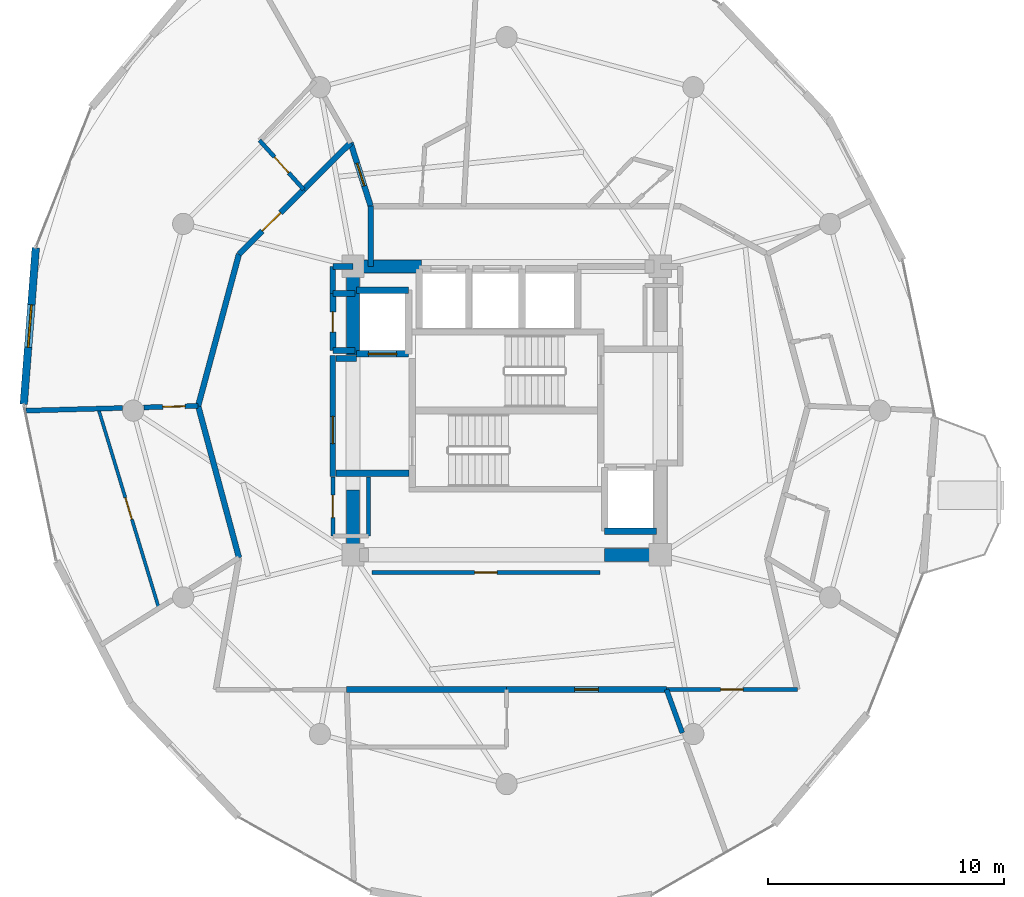
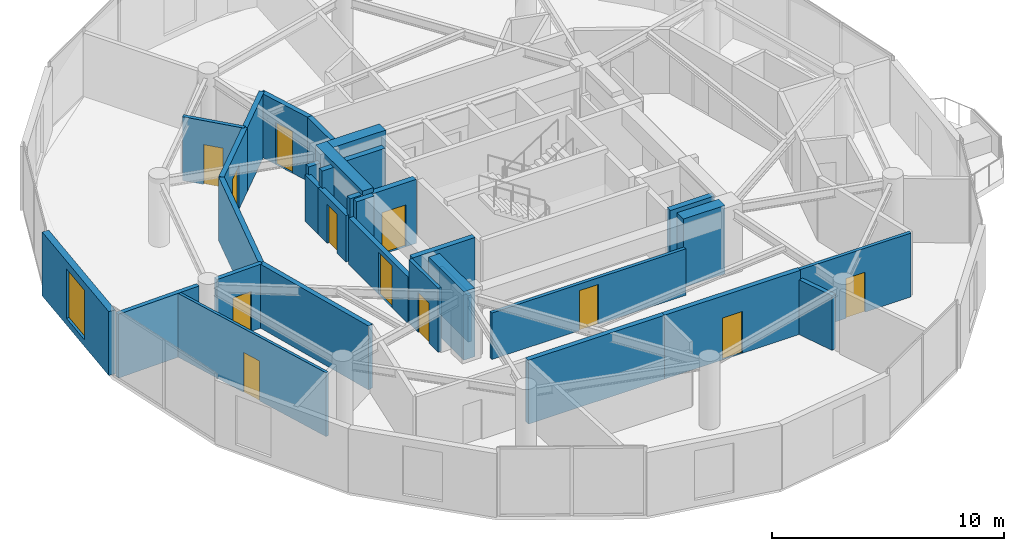
# One storey, part 17 of 21: 33 walls, 12 doors, 1 window, 13 openings.
"""IFC4 building model written with IfcOpenShell, lengths in metres."""

from ifc_helpers import new_model, si_unit, direction, frame, frame_2d, origin, place, context, subcontext, project, spatial, rectangle, extrude, material, layer, layer_set, type_object, element, fill, save


model = new_model("IFC4")

# Units and contexts
model_context = context("Model", 3, precision=1e-05, world=origin(), true_north=direction((0.0, 1.0)))
body_context = subcontext(model_context, "Body", "Model", "MODEL_VIEW")
ifc_project = project(units=[si_unit("LENGTHUNIT", "METRE"), si_unit("AREAUNIT", "SQUARE_METRE"), si_unit("VOLUMEUNIT", "CUBIC_METRE"), si_unit("PLANEANGLEUNIT", "RADIAN"), si_unit("MASSUNIT", "GRAM", prefix="KILO")], contexts=[model_context])

# Site, building, storey
site_placement = place(None, origin())
site = spatial("IfcSite", under=ifc_project, at=site_placement, CompositionType="ELEMENT")
building_placement = place(site_placement, origin())
building = spatial("IfcBuilding", under=site, at=building_placement, Name="Solvirekh Grand Hotel", CompositionType="ELEMENT")
storey_placement = place(building_placement, frame((0.0, 0.0, 220.0)))
storey = spatial("IfcBuildingStorey", under=building, at=storey_placement, Name="L57", CompositionType="ELEMENT", Elevation=220.0)

# Wall, opening, door
ifc_material_1 = material(Name="Concrete C40/50", Category="concrete")
ifc_layer_1 = layer(ifc_material_1, 0.280029296875)
ifc_layer_set_1 = layer_set([ifc_layer_1], Name="Concrete C40/50")
wall_type_1 = type_object("IfcWallType", Name="CoreShaftWall_RC280", PredefinedType="SOLIDWALL", material=ifc_layer_set_1)
wall_1_placement = place(storey_placement, frame((-6.35009765625, 2.39990234375, 0.0), z_axis=(0.0, 0.0, 1.0), x_axis=(1.0, 0.0, 0.0)))
wall_1 = element("IfcWall", 1, at=wall_1_placement, inside=storey, type_object=wall_type_1, Name="L57 FL-1 hoistway S wall", PredefinedType="SOLIDWALL", context=body_context, shape_type="SweptSolid", body=[
    extrude(rectangle(XDim=2.2001953125, YDim=0.280029296875, at=frame_2d((1.10009765625, 0.0))), origin(), (0.0, 0.0, 1.0), 3.360107421875),
])
opening_1_placement = place(wall_1_placement, frame((0.5, 0.0, 0.0)))
opening_1 = element("IfcOpeningElement", 2, at=opening_1_placement, cuts=wall_1, Name="Opening LD02", PredefinedType="OPENING", context=body_context, shape_type="SweptSolid", body=[
    extrude(rectangle(XDim=1.199951171875, YDim=2.199951171875, at=frame_2d((0.60009765625, 1.10009765625))), frame((0.0, 0.14990234375, 0.0), z_axis=(0.0, -1.0, 0.0), x_axis=(1.0, 0.0, 0.0)), (0.0, 0.0, 1.0), 0.300048828125),
])
ifc_material_2 = material(Name="Fire-Rated Steel Door Assembly", Category="steel")
door_type_1 = type_object("IfcDoorType", Name="Door_LiftFF_1200X2200", OperationType="SLIDING_TO_LEFT", PredefinedType="DOOR", material=ifc_material_2)
door_1_placement = place(opening_1_placement, origin())
door_1 = element("IfcDoor", 3, at=door_1_placement, inside=storey, type_object=door_type_1, Name="L57 FL-1 sliding lift landing door", OperationType="SLIDING_TO_LEFT", OverallHeight=2.199951171875, OverallWidth=1.199951171875, PredefinedType="DOOR", context=body_context, shape_type="SweptSolid", body=[
    extrude(rectangle(XDim=1.199951171875, YDim=2.199951171875, at=frame_2d((0.60009765625, 1.10009765625))), frame((0.0, 0.02490234375, 0.0), z_axis=(0.0, -1.0, 0.0), x_axis=(1.0, 0.0, 0.0)), (0.0, 0.0, 1.0), 0.050048828125),
])
fill(opening_1, door_1)

# Walls
for number, where, z_axis, x_axis, name in (
    (4, (-4.14990234375, 5.10009765625, 0.0), (0.0, 0.0, 1.0), (-1.0, 0.0, 0.0), "L57 FL-1 hoistway N wall"),
    (5, (4.14990234375, -5.10009765625, 0.0), (0.0, 0.0, 1.0), (1.0, 0.0, 0.0), "L57 FL-2 hoistway S wall"),
):
    element("IfcWall", number, at=place(storey_placement, frame(where, z_axis=z_axis, x_axis=x_axis)), inside=storey, type_object=wall_type_1, Name=name, PredefinedType="SOLIDWALL", context=body_context, shape_type="SweptSolid", body=[
        extrude(rectangle(XDim=2.2001953125, YDim=0.280029296875, at=frame_2d((1.10009765625, 0.0))), origin(), (0.0, 0.0, 1.0), 3.360107421875),
    ])
ifc_material_3 = material(Name="Concrete C50/60", Category="concrete")
ifc_layer_2 = layer(ifc_material_3, 0.550048828125)
ifc_layer_set_2 = layer_set([ifc_layer_2], Name="Concrete C50/60")
wall_type_2 = type_object("IfcWallType", Name="CoreWall_RC550", PredefinedType="SHEAR", material=ifc_layer_set_2)
wall_2_placement = place(storey_placement, frame((4.14990234375, -6.10009765625, 0.0), z_axis=(0.0, 0.0, 1.0), x_axis=(1.0, 0.0, 0.0)))
element("IfcWall", 6, at=wall_2_placement, inside=storey, type_object=wall_type_2, Name="L57 core corner shear wall SE-S", PredefinedType="SHEAR", context=body_context, shape_type="SweptSolid", body=[
    extrude(rectangle(XDim=2.0751953125, YDim=0.550048828125, at=frame_2d((1.03759765625, 0.0))), origin(), (0.0, 0.0, 1.0), 3.60009765625),
])
wall_3_placement = place(storey_placement, frame((-6.22509765625, 6.10009765625, 0.0), z_axis=(0.0, 0.0, 1.0), x_axis=(1.0, 0.0, 0.0)))
element("IfcWall", 7, at=wall_3_placement, inside=storey, type_object=wall_type_2, Name="L57 core corner shear wall NW-N", PredefinedType="SHEAR", context=body_context, shape_type="SweptSolid", body=[
    extrude(rectangle(XDim=2.625, YDim=0.550048828125, at=frame_2d((1.3125, 0.0))), origin(), (0.0, 0.0, 1.0), 3.60009765625),
])
wall_4_placement = place(storey_placement, frame((-6.5, 2.35009765625, 0.0), z_axis=(0.0, 0.0, 1.0), x_axis=(0.0, 1.0, 0.0)))
element("IfcWall", 8, at=wall_4_placement, inside=storey, type_object=wall_type_2, Name="L57 core corner shear wall WN-W", PredefinedType="SHEAR", context=body_context, shape_type="SweptSolid", body=[
    extrude(rectangle(XDim=4.02490234375, YDim=0.550048828125, at=frame_2d((2.012451171875, 0.0))), origin(), (0.0, 0.0, 1.0), 3.60009765625),
])
wall_5_placement = place(storey_placement, frame((-6.5, -6.375, 0.0), z_axis=(0.0, 0.0, 1.0), x_axis=(0.0, 1.0, 0.0)))
element("IfcWall", 9, at=wall_5_placement, inside=storey, type_object=wall_type_2, Name="L57 core corner shear wall WS-W", PredefinedType="SHEAR", context=body_context, shape_type="SweptSolid", body=[
    extrude(rectangle(XDim=3.02490234375, YDim=0.550048828125, at=frame_2d((1.512451171875, 0.0))), origin(), (0.0, 0.0, 1.0), 3.60009765625),
])

# Wall, opening, window
ifc_material_4 = material(Name="Precast concrete C45/55", Category="concrete")
ifc_layer_3 = layer(ifc_material_4, 0.320068359375)
ifc_layer_set_3 = layer_set([ifc_layer_3], Name="Precast concrete C45/55")
wall_type_3 = type_object("IfcWallType", Name="ExtLobbyWall_RC320", PredefinedType="SOLIDWALL", material=ifc_layer_set_3)
wall_6_placement = place(storey_placement, frame((-20.427978515625, 0.27001953125, 0.0), z_axis=(0.0, 0.0, 1.0), x_axis=(0.076702125221, 0.997054052691, 0.0)))
wall_6 = element("IfcWall", 10, at=wall_6_placement, inside=storey, type_object=wall_type_3, Name="L57 exterior structural wall chord 14", PredefinedType="SOLIDWALL", context=body_context, shape_type="SweptSolid", body=[
    extrude(rectangle(XDim=6.636474609375, YDim=0.320068359375, at=frame_2d((3.318359375, 0.0))), origin(), (0.0, 0.0, 1.0), 3.360107421875),
])
opening_2_placement = place(wall_6_placement, frame((2.41796875, 0.0, 0.35009765625)))
opening_2 = element("IfcOpeningElement", 11, at=opening_2_placement, cuts=wall_6, Name="Opening W02", PredefinedType="OPENING", context=body_context, shape_type="SweptSolid", body=[
    extrude(rectangle(XDim=1.800048828125, YDim=2.60009765625, at=frame_2d((0.89990234375, 1.300048828125))), frame((0.0, 0.169921875, 0.0), z_axis=(0.0, -1.0, 0.0), x_axis=(1.0, 0.0, 0.0)), (0.0, 0.0, 1.0), 0.340087890625),
])
ifc_material_5 = material(Name="Low-E Tinted Bronze Laminated Glass", Category="aluminium")
window_type = type_object("IfcWindowType", Name="Win_LobbyExt_1800X2600", PartitioningType="SINGLE_PANEL", PredefinedType="WINDOW", material=ifc_material_5)
window_placement = place(opening_2_placement, origin())
window = element("IfcWindow", 12, at=window_placement, inside=storey, type_object=window_type, Name="L57 panoramic bronze-framed window 14", OverallHeight=2.60009765625, OverallWidth=1.800048828125, PartitioningType="SINGLE_PANEL", PredefinedType="WINDOW", context=body_context, shape_type="SweptSolid", body=[
    extrude(rectangle(XDim=1.800048828125, YDim=2.60009765625, at=frame_2d((0.89990234375, 1.300048828125))), frame((0.0, 0.030029296875, 0.0), z_axis=(0.0, -1.0, 0.0), x_axis=(1.0, 0.0, 0.0)), (0.0, 0.0, 1.0), 0.06005859375),
])
fill(opening_2, window)

# Wall
ifc_material_6 = material(Name="Acoustic Gypsum Partition Assembly")
ifc_layer_4 = layer(ifc_material_6, 0.1650390625)
ifc_layer_set_4 = layer_set([ifc_layer_4], Name="Acoustic Gypsum Partition Assembly")
wall_type_4 = type_object("IfcWallType", Name="Part_BOH_165", PredefinedType="PARTITIONING", material=ifc_layer_set_4)
wall_7_placement = place(storey_placement, frame((-5.85009765625, -5.300048828125, 0.0), z_axis=(0.0, 0.0, 1.0), x_axis=(0.0, 1.0, 0.0)))
element("IfcWall", 13, at=wall_7_placement, inside=storey, type_object=wall_type_4, Name="L57 L57 Core Linen Store wall 2", PredefinedType="PARTITIONING", context=body_context, shape_type="SweptSolid", body=[
    extrude(rectangle(XDim=2.5, YDim=0.1650390625, at=frame_2d((1.25, 0.0))), origin(), (0.0, 0.0, 1.0), 2.445068359375),
])

# Wall, opening, door
wall_8_placement = place(storey_placement, frame((-7.35009765625, -2.800048828125, 0.0), z_axis=(0.0, 0.0, 1.0), x_axis=(0.0, -1.0, 0.0)))
wall_8 = element("IfcWall", 14, at=wall_8_placement, inside=storey, type_object=wall_type_4, Name="L57 L57 Core Linen Store wall 4", PredefinedType="PARTITIONING", context=body_context, shape_type="SweptSolid", body=[
    extrude(rectangle(XDim=2.5, YDim=0.1650390625, at=frame_2d((1.25, 0.0))), origin(), (0.0, 0.0, 1.0), 3.360107421875),
])
opening_3_placement = place(wall_8_placement, frame((0.77490234375, 0.0, 0.0)))
opening_3 = element("IfcOpeningElement", 15, at=opening_3_placement, cuts=wall_8, Name="Opening D10", PredefinedType="OPENING", context=body_context, shape_type="SweptSolid", body=[
    extrude(rectangle(XDim=0.949951171875, YDim=2.10009765625, at=frame_2d((0.47509765625, 1.050048828125))), frame((0.0, 0.092529296875, 0.0), z_axis=(0.0, -1.0, 0.0), x_axis=(1.0, 0.0, 0.0)), (0.0, 0.0, 1.0), 0.18505859375),
])
ifc_material_7 = material(Name="Anodized Bronze Aluminium 6063-T6", Category="aluminium")
door_type_2 = type_object("IfcDoorType", Name="Door_RoomInt_950X2100", OperationType="NOTDEFINED", PredefinedType="DOOR", material=ifc_material_7)
door_2_placement = place(opening_3_placement, origin())
door_2 = element("IfcDoor", 16, at=door_2_placement, inside=storey, type_object=door_type_2, Name="L57 L57 Core Linen Store door", OperationType="SINGLE_SWING_LEFT", OverallHeight=2.10009765625, OverallWidth=0.949951171875, PredefinedType="DOOR", context=body_context, shape_type="SweptSolid", body=[
    extrude(rectangle(XDim=0.949951171875, YDim=2.10009765625, at=frame_2d((0.47509765625, 1.050048828125))), frame((0.0, 0.02490234375, 0.0), z_axis=(0.0, -1.0, 0.0), x_axis=(1.0, 0.0, 0.0)), (0.0, 0.0, 1.0), 0.050048828125),
])
fill(opening_3, door_2)

wall_9_placement = place(storey_placement, frame((-5.699951171875, -6.85009765625, 0.0), z_axis=(0.0, 0.0, 1.0), x_axis=(1.0, 0.0, 0.0)))
wall_9 = element("IfcWall", 17, at=wall_9_placement, inside=storey, type_object=wall_type_4, Name="L57 Housekeeping & Linen Store wall 1", PredefinedType="PARTITIONING", context=body_context, shape_type="SweptSolid", body=[
    extrude(rectangle(XDim=9.64990234375, YDim=0.1650390625, at=frame_2d((4.824951171875, 0.0))), origin(), (0.0, 0.0, 1.0), 2.445068359375),
])
opening_4_placement = place(wall_9_placement, frame((4.35009765625, 0.0, 0.0)))
opening_4 = element("IfcOpeningElement", 18, at=opening_4_placement, cuts=wall_9, Name="Opening D10", PredefinedType="OPENING", context=body_context, shape_type="SweptSolid", body=[
    extrude(rectangle(XDim=0.949951171875, YDim=2.10009765625, at=frame_2d((0.47509765625, 1.050048828125))), frame((0.0, 0.092529296875, 0.0), z_axis=(0.0, -1.0, 0.0), x_axis=(1.0, 0.0, 0.0)), (0.0, 0.0, 1.0), 0.18505859375),
])
door_3_placement = place(opening_4_placement, origin())
door_3 = element("IfcDoor", 19, at=door_3_placement, inside=storey, type_object=door_type_2, Name="L57 Housekeeping & Linen Store door", OperationType="SINGLE_SWING_LEFT", OverallHeight=2.10009765625, OverallWidth=0.949951171875, PredefinedType="DOOR", context=body_context, shape_type="SweptSolid", body=[
    extrude(rectangle(XDim=0.949951171875, YDim=2.10009765625, at=frame_2d((0.47509765625, 1.050048828125))), frame((0.0, 0.02490234375, 0.0), z_axis=(0.0, -1.0, 0.0), x_axis=(1.0, 0.0, 0.0)), (0.0, 0.0, 1.0), 0.050048828125),
])
fill(opening_4, door_3)

wall_10_placement = place(storey_placement, frame((6.764892578125, -11.800048828125, 0.0), z_axis=(0.0, 0.0, 1.0), x_axis=(1.0, 0.0, 0.0)))
wall_10 = element("IfcWall", 20, at=wall_10_placement, inside=storey, type_object=wall_type_4, Name="L57 L57 Butler Valet & Linen Steward Room entrance wall", PredefinedType="PARTITIONING", context=body_context, shape_type="SweptSolid", body=[
    extrude(rectangle(XDim=5.53515625, YDim=0.1650390625, at=frame_2d((2.767578125, 0.0))), origin(), (0.0, 0.0, 1.0), 3.360107421875),
])
opening_5_placement = place(wall_10_placement, frame((2.29296875, 0.0, 0.0)))
opening_5 = element("IfcOpeningElement", 21, at=opening_5_placement, cuts=wall_10, Name="Opening D10", PredefinedType="OPENING", context=body_context, shape_type="SweptSolid", body=[
    extrude(rectangle(XDim=0.949951171875, YDim=2.10009765625, at=frame_2d((0.47509765625, 1.050048828125))), frame((0.0, 0.092529296875, 0.0), z_axis=(0.0, -1.0, 0.0), x_axis=(1.0, 0.0, 0.0)), (0.0, 0.0, 1.0), 0.18505859375),
])
door_4_placement = place(opening_5_placement, origin())
door_4 = element("IfcDoor", 22, at=door_4_placement, inside=storey, type_object=door_type_2, Name="L57 L57 Butler Valet & Linen Steward Room entrance door", OperationType="SINGLE_SWING_RIGHT", OverallHeight=2.10009765625, OverallWidth=0.949951171875, PredefinedType="DOOR", context=body_context, shape_type="SweptSolid", body=[
    extrude(rectangle(XDim=0.949951171875, YDim=2.10009765625, at=frame_2d((0.47509765625, 1.050048828125))), frame((0.0, 0.02490234375, 0.0), z_axis=(0.0, -1.0, 0.0), x_axis=(1.0, 0.0, 0.0)), (0.0, 0.0, 1.0), 0.050048828125),
])
fill(opening_5, door_4)

ifc_layer_5 = layer(ifc_material_6, 0.239990234375)
ifc_layer_set_5 = layer_set([ifc_layer_5], Name="Acoustic Gypsum Partition Assembly")
wall_type_5 = type_object("IfcWallType", Name="Part_Corridor_240", PredefinedType="PARTITIONING", material=ifc_layer_set_5)
wall_11_placement = place(storey_placement, frame((-7.35009765625, -2.780029296875, 0.0), z_axis=(0.0, 0.0, 1.0), x_axis=(0.0, 1.0, 0.0)))
wall_11 = element("IfcWall", 23, at=wall_11_placement, inside=storey, type_object=wall_type_5, Name="L57 west firefighting lobby smoke screen wall", PredefinedType="PARTITIONING", context=body_context, shape_type="SweptSolid", body=[
    extrude(rectangle(XDim=5.1201171875, YDim=0.239990234375, at=frame_2d((2.56005859375, 0.0))), origin(), (0.0, 0.0, 1.0), 2.445068359375),
])
opening_6_placement = place(wall_11_placement, frame((1.388916015625, 0.0, 0.0)))
opening_6 = element("IfcOpeningElement", 24, at=opening_6_placement, cuts=wall_11, Name="Opening D06", PredefinedType="OPENING", context=body_context, shape_type="SweptSolid", body=[
    extrude(rectangle(XDim=1.14990234375, YDim=2.199951171875, at=frame_2d((0.574951171875, 1.10009765625))), frame((0.0, 0.1298828125, 0.0), z_axis=(0.0, -1.0, 0.0), x_axis=(1.0, 0.0, 0.0)), (0.0, 0.0, 1.0), 0.260009765625),
])
door_type_3 = type_object("IfcDoorType", Name="Door_FFLobby_1150X2200", OperationType="NOTDEFINED", PredefinedType="DOOR", material=ifc_material_2)
door_5_placement = place(opening_6_placement, origin())
door_5 = element("IfcDoor", 25, at=door_5_placement, inside=storey, type_object=door_type_3, Name="L57 west firefighting lobby smoke door", OperationType="SINGLE_SWING_RIGHT", OverallHeight=2.199951171875, OverallWidth=1.14990234375, PredefinedType="DOOR", context=body_context, shape_type="SweptSolid", body=[
    extrude(rectangle(XDim=1.14990234375, YDim=2.199951171875, at=frame_2d((0.574951171875, 1.10009765625))), frame((0.0, 0.02490234375, 0.0), z_axis=(0.0, -1.0, 0.0), x_axis=(1.0, 0.0, 0.0)), (0.0, 0.0, 1.0), 0.050048828125),
])
fill(opening_6, door_5)

# Walls
wall_12_placement = place(storey_placement, frame((-5.75, 6.10009765625, 0.0), z_axis=(0.0, 0.0, 1.0), x_axis=(0.0, 1.0, 0.0)))
element("IfcWall", 26, at=wall_12_placement, inside=storey, type_object=wall_type_5, Name="L57 north lift lobby west wall", PredefinedType="PARTITIONING", context=body_context, shape_type="SweptSolid", body=[
    extrude(rectangle(XDim=2.5498046875, YDim=0.239990234375, at=frame_2d((1.27490234375, 0.0))), origin(), (0.0, 0.0, 1.0), 3.360107421875),
])
wall_13_placement = place(storey_placement, frame((-7.35009765625, 4.949951171875, 0.0), z_axis=(0.0, 0.0, 1.0), x_axis=(0.0, 1.0, 0.0)))
element("IfcWall", 27, at=wall_13_placement, inside=storey, type_object=wall_type_5, Name="L57 NW core cheek closure wall", PredefinedType="PARTITIONING", context=body_context, shape_type="SweptSolid", body=[
    extrude(rectangle(XDim=1.150146484375, YDim=0.239990234375, at=frame_2d((0.5751953125, 0.0))), origin(), (0.0, 0.0, 1.0), 2.445068359375),
])
wall_14_placement = place(storey_placement, frame((-7.35009765625, 6.10009765625, 0.0), z_axis=(0.0, 0.0, 1.0), x_axis=(1.0, 0.0, 0.0)))
element("IfcWall", 28, at=wall_14_placement, inside=storey, type_object=wall_type_5, Name="L57 NW core corner tie wall", PredefinedType="PARTITIONING", context=body_context, shape_type="SweptSolid", body=[
    extrude(rectangle(XDim=0.85009765625, YDim=0.239990234375, at=frame_2d((0.425048828125, 0.0))), origin(), (0.0, 0.0, 1.0), 2.876953125),
])

# Wall, opening, door
wall_15_placement = place(storey_placement, frame((-6.60009765625, 11.327880859375, 0.0), z_axis=(0.0, 0.0, 1.0), x_axis=(0.30256159068, -0.953129835775, 0.0)))
wall_15 = element("IfcWall", 29, at=wall_15_placement, inside=storey, type_object=wall_type_5, Name="L57 Deluxe Guestroom 5902 entrance wall", PredefinedType="PARTITIONING", context=body_context, shape_type="SweptSolid", body=[
    extrude(rectangle(XDim=2.8095703125, YDim=0.239990234375, at=frame_2d((1.40478515625, 0.0))), origin(), (0.0, 0.0, 1.0), 3.360107421875),
])
opening_7_placement = place(wall_15_placement, frame((0.905029296875, 0.0, 0.0)))
opening_7 = element("IfcOpeningElement", 30, at=opening_7_placement, cuts=wall_15, Name="Opening D07", PredefinedType="OPENING", context=body_context, shape_type="SweptSolid", body=[
    extrude(rectangle(XDim=1.0, YDim=2.199951171875, at=frame_2d((0.5, 1.10009765625))), frame((0.0, 0.1298828125, 0.0), z_axis=(0.0, -1.0, 0.0), x_axis=(1.0, 0.0, 0.0)), (0.0, 0.0, 1.0), 0.260009765625),
])
door_type_4 = type_object("IfcDoorType", Name="Door_GuestEntry_1000X2200", OperationType="NOTDEFINED", PredefinedType="DOOR", material=ifc_material_2)
door_6_placement = place(opening_7_placement, origin())
door_6 = element("IfcDoor", 31, at=door_6_placement, inside=storey, type_object=door_type_4, Name="L57 Deluxe Guestroom 5902 entrance door", OperationType="SINGLE_SWING_RIGHT", OverallHeight=2.199951171875, OverallWidth=1.0, PredefinedType="DOOR", context=body_context, shape_type="SweptSolid", body=[
    extrude(rectangle(XDim=1.0, YDim=2.199951171875, at=frame_2d((0.5, 1.10009765625))), frame((0.0, 0.02490234375, 0.0), z_axis=(0.0, -1.0, 0.0), x_axis=(1.0, 0.0, 0.0)), (0.0, 0.0, 1.0), 0.050048828125),
])
fill(opening_7, door_6)

# Walls
wall_16_placement = place(storey_placement, frame((-6.60009765625, 11.327880859375, 0.0), z_axis=(0.0, 0.0, 1.0), x_axis=(-0.708544738437, -0.705665893772, 0.0)))
element("IfcWall", 32, at=wall_16_placement, inside=storey, type_object=wall_type_5, Name="L57 En-suite Bathroom 5903 corridor backing wall", PredefinedType="PARTITIONING", context=body_context, shape_type="SweptSolid", body=[
    extrude(rectangle(XDim=2.798583984375, YDim=0.239990234375, at=frame_2d((1.3994140625, 0.0))), origin(), (0.0, 0.0, 1.0), 3.360107421875),
])
wall_17_placement = place(storey_placement, frame((-11.322021484375, 6.625, 0.0), z_axis=(0.0, 0.0, 1.0), x_axis=(-0.259722121469, -0.965683395125, 0.0)))
element("IfcWall", 33, at=wall_17_placement, inside=storey, type_object=wall_type_5, Name="L57 Diplomatic Suite 5903 Living Room corridor wall 1", PredefinedType="PARTITIONING", context=body_context, shape_type="SweptSolid", body=[
    extrude(rectangle(XDim=6.6533203125, YDim=0.239990234375, at=frame_2d((3.32666015625, 0.0))), origin(), (0.0, 0.0, 1.0), 3.360107421875),
])

# Wall, opening, door
wall_18_placement = place(storey_placement, frame((-8.5830078125, 9.35302734375, 0.0), z_axis=(0.0, 0.0, 1.0), x_axis=(-0.70852632163, -0.70568438523, 0.0)))
wall_18 = element("IfcWall", 34, at=wall_18_placement, inside=storey, type_object=wall_type_5, Name="L57 Diplomatic Suite 5903 Living Room entrance wall", PredefinedType="PARTITIONING", context=body_context, shape_type="SweptSolid", body=[
    extrude(rectangle(XDim=3.86572265625, YDim=0.239990234375, at=frame_2d((1.932861328125, 0.0))), origin(), (0.0, 0.0, 1.0), 3.360107421875),
])
opening_8_placement = place(wall_18_placement, frame((1.383056640625, 0.0, 0.0)))
opening_8 = element("IfcOpeningElement", 35, at=opening_8_placement, cuts=wall_18, Name="Opening D08", PredefinedType="OPENING", context=body_context, shape_type="SweptSolid", body=[
    extrude(rectangle(XDim=1.10009765625, YDim=2.300048828125, at=frame_2d((0.550048828125, 1.14990234375))), frame((0.0, 0.1298828125, 0.0), z_axis=(0.0, -1.0, 0.0), x_axis=(1.0, 0.0, 0.0)), (0.0, 0.0, 1.0), 0.260009765625),
])
door_type_5 = type_object("IfcDoorType", Name="Door_SuiteEntry_1100X2300", OperationType="NOTDEFINED", PredefinedType="DOOR", material=ifc_material_2)
door_7_placement = place(opening_8_placement, origin())
door_7 = element("IfcDoor", 36, at=door_7_placement, inside=storey, type_object=door_type_5, Name="L57 Diplomatic Suite 5903 Living Room entrance door", OperationType="SINGLE_SWING_RIGHT", OverallHeight=2.300048828125, OverallWidth=1.10009765625, PredefinedType="DOOR", context=body_context, shape_type="SweptSolid", body=[
    extrude(rectangle(XDim=1.10009765625, YDim=2.300048828125, at=frame_2d((0.550048828125, 1.14990234375))), frame((0.0, 0.02490234375, 0.0), z_axis=(0.0, -1.0, 0.0), x_axis=(1.0, 0.0, 0.0)), (0.0, 0.0, 1.0), 0.050048828125),
])
fill(opening_8, door_7)

# Walls
wall_19_placement = place(storey_placement, frame((-13.050048828125, 0.199951171875, 0.0), z_axis=(0.0, 0.0, 1.0), x_axis=(0.259722121469, -0.965683395125, 0.0)))
element("IfcWall", 37, at=wall_19_placement, inside=storey, type_object=wall_type_5, Name="L57 Diplomatic Suite 5903 Suite Foyer corridor enclosure wall", PredefinedType="PARTITIONING", context=body_context, shape_type="SweptSolid", body=[
    extrude(rectangle(XDim=6.6533203125, YDim=0.239990234375, at=frame_2d((3.32666015625, 0.0))), origin(), (0.0, 0.0, 1.0), 3.360107421875),
])
wall_20_placement = place(storey_placement, frame((-6.764892578125, -11.800048828125, 0.0), z_axis=(0.0, 0.0, 1.0), x_axis=(1.0, 0.0, 0.0)))
element("IfcWall", 38, at=wall_20_placement, inside=storey, type_object=wall_type_5, Name="L57 En-suite Bathroom 5906 corridor backing wall", PredefinedType="PARTITIONING", context=body_context, shape_type="SweptSolid", body=[
    extrude(rectangle(XDim=6.764892578125, YDim=0.239990234375, at=frame_2d((3.38232421875, 0.0))), origin(), (0.0, 0.0, 1.0), 3.360107421875),
])

# Wall, opening, door
wall_21_placement = place(storey_placement, frame((0.0, -11.800048828125, 0.0), z_axis=(0.0, 0.0, 1.0), x_axis=(1.0, 0.0, 0.0)))
wall_21 = element("IfcWall", 39, at=wall_21_placement, inside=storey, type_object=wall_type_5, Name="L57 Deluxe Guestroom 5906 entrance wall", PredefinedType="PARTITIONING", context=body_context, shape_type="SweptSolid", body=[
    extrude(rectangle(XDim=6.764892578125, YDim=0.239990234375, at=frame_2d((3.38232421875, 0.0))), origin(), (0.0, 0.0, 1.0), 3.360107421875),
])
opening_9_placement = place(wall_21_placement, frame((2.882080078125, 0.0, 0.0)))
opening_9 = element("IfcOpeningElement", 40, at=opening_9_placement, cuts=wall_21, Name="Opening D07", PredefinedType="OPENING", context=body_context, shape_type="SweptSolid", body=[
    extrude(rectangle(XDim=1.0, YDim=2.199951171875, at=frame_2d((0.5, 1.10009765625))), frame((0.0, 0.1298828125, 0.0), z_axis=(0.0, -1.0, 0.0), x_axis=(1.0, 0.0, 0.0)), (0.0, 0.0, 1.0), 0.260009765625),
])
door_8_placement = place(opening_9_placement, origin())
door_8 = element("IfcDoor", 41, at=door_8_placement, inside=storey, type_object=door_type_4, Name="L57 Deluxe Guestroom 5906 entrance door", OperationType="SINGLE_SWING_LEFT", OverallHeight=2.199951171875, OverallWidth=1.0, PredefinedType="DOOR", context=body_context, shape_type="SweptSolid", body=[
    extrude(rectangle(XDim=1.0, YDim=2.199951171875, at=frame_2d((0.5, 1.10009765625))), frame((0.0, 0.02490234375, 0.0), z_axis=(0.0, -1.0, 0.0), x_axis=(1.0, 0.0, 0.0)), (0.0, 0.0, 1.0), 0.050048828125),
])
fill(opening_9, door_8)

# Walls
ifc_layer_6 = layer(ifc_material_6, 0.260009765625)
ifc_layer_set_6 = layer_set([ifc_layer_6], Name="Acoustic Gypsum Partition Assembly")
wall_type_6 = type_object("IfcWallType", Name="Part_LobbyFF_260", PredefinedType="PARTITIONING", material=ifc_layer_set_6)
wall_22_placement = place(storey_placement, frame((-7.22509765625, -2.64990234375, 0.0), z_axis=(0.0, 0.0, 1.0), x_axis=(1.0, 0.0, 0.0)))
element("IfcWall", 42, at=wall_22_placement, inside=storey, type_object=wall_type_6, Name="L57 west firefighting lobby south partition", PredefinedType="PARTITIONING", context=body_context, shape_type="SweptSolid", body=[
    extrude(rectangle(XDim=3.09521484375, YDim=0.260009765625, at=frame_2d((1.547607421875, 0.0))), origin(), (0.0, 0.0, 1.0), 3.360107421875),
])
wall_23_placement = place(storey_placement, frame((-7.22509765625, 2.2099609375, 0.0), z_axis=(0.0, 0.0, 1.0), x_axis=(1.0, 0.0, 0.0)))
element("IfcWall", 43, at=wall_23_placement, inside=storey, type_object=wall_type_6, Name="L57 west firefighting lobby NW cheek", PredefinedType="PARTITIONING", context=body_context, shape_type="SweptSolid", body=[
    extrude(rectangle(XDim=0.875, YDim=0.260009765625, at=frame_2d((0.4375, 0.0))), origin(), (0.0, 0.0, 1.0), 3.360107421875),
])
for number, where, z_axis, x_axis, name in (
    (44, (-7.35009765625, 4.949951171875, 0.0), (0.0, 0.0, 1.0), (1.0, 0.0, 0.0), "L57 NW telecom metering cupboard north wall"),
    (45, (-7.35009765625, 2.550048828125, 0.0), (0.0, 0.0, 1.0), (1.0, 0.0, 0.0), "L57 NW telecom metering cupboard south wall"),
):
    element("IfcWall", number, at=place(storey_placement, frame(where, z_axis=z_axis, x_axis=x_axis)), inside=storey, type_object=wall_type_6, Name=name, PredefinedType="PARTITIONING", context=body_context, shape_type="SweptSolid", body=[
        extrude(rectangle(XDim=0.93017578125, YDim=0.260009765625, at=frame_2d((0.465087890625, 0.0))), origin(), (0.0, 0.0, 1.0), 3.360107421875),
    ])

# Wall, opening, door
wall_24_placement = place(storey_placement, frame((-7.35009765625, 2.550048828125, 0.0), z_axis=(0.0, 0.0, 1.0), x_axis=(0.0, 1.0, 0.0)))
wall_24 = element("IfcWall", 46, at=wall_24_placement, inside=storey, type_object=wall_type_6, Name="L57 NW telecom metering cupboard access wall", PredefinedType="PARTITIONING", context=body_context, shape_type="SweptSolid", body=[
    extrude(rectangle(XDim=2.39990234375, YDim=0.260009765625, at=frame_2d((1.199951171875, 0.0))), origin(), (0.0, 0.0, 1.0), 2.445068359375),
])
opening_10_placement = place(wall_24_placement, frame((0.77490234375, 0.0, 0.0)))
opening_10 = element("IfcOpeningElement", 47, at=opening_10_placement, cuts=wall_24, Name="Opening D13", PredefinedType="OPENING", context=body_context, shape_type="SweptSolid", body=[
    extrude(rectangle(XDim=0.85009765625, YDim=2.050048828125, at=frame_2d((0.425048828125, 1.02490234375))), frame((0.0, 0.14013671875, 0.0), z_axis=(0.0, -1.0, 0.0), x_axis=(1.0, 0.0, 0.0)), (0.0, 0.0, 1.0), 0.280029296875),
])
door_type_6 = type_object("IfcDoorType", Name="Door_RiserShaft_850X2050", OperationType="NOTDEFINED", PredefinedType="DOOR", material=ifc_material_2)
door_9_placement = place(opening_10_placement, origin())
door_9 = element("IfcDoor", 48, at=door_9_placement, inside=storey, type_object=door_type_6, Name="L57 telecom metering cupboard access door", OperationType="SINGLE_SWING_RIGHT", OverallHeight=2.050048828125, OverallWidth=0.85009765625, PredefinedType="DOOR", context=body_context, shape_type="SweptSolid", body=[
    extrude(rectangle(XDim=0.85009765625, YDim=2.050048828125, at=frame_2d((0.425048828125, 1.02490234375))), frame((0.0, 0.02490234375, 0.0), z_axis=(0.0, -1.0, 0.0), x_axis=(1.0, 0.0, 0.0)), (0.0, 0.0, 1.0), 0.050048828125),
])
fill(opening_10, door_9)

ifc_layer_7 = layer(ifc_material_6, 0.135009765625)
ifc_layer_set_7 = layer_set([ifc_layer_7], Name="Acoustic Gypsum Partition Assembly")
wall_type_7 = type_object("IfcWallType", Name="Part_RoomInt_135", PredefinedType="PARTITIONING", material=ifc_layer_set_7)
wall_25_placement = place(storey_placement, frame((-17.27392578125, 0.083984375, 0.0), z_axis=(0.0, 0.0, 1.0), x_axis=(0.290378939447, -0.956911736539, 0.0)))
wall_25 = element("IfcWall", 49, at=wall_25_placement, inside=storey, type_object=wall_type_7, Name="L57 Diplomatic Suite 5903 Suite Foyer bedroom screen wall", PredefinedType="PARTITIONING", context=body_context, shape_type="SweptSolid", body=[
    extrude(rectangle(XDim=8.826416015625, YDim=0.135009765625, at=frame_2d((4.4130859375, 0.0))), origin(), (0.0, 0.0, 1.0), 3.360107421875),
])
opening_11_placement = place(wall_25_placement, frame((3.93798828125, 0.0, 0.0)))
opening_11 = element("IfcOpeningElement", 50, at=opening_11_placement, cuts=wall_25, Name="Opening D10", PredefinedType="OPENING", context=body_context, shape_type="SweptSolid", body=[
    extrude(rectangle(XDim=0.949951171875, YDim=2.10009765625, at=frame_2d((0.47509765625, 1.050048828125))), frame((0.0, 0.07763671875, 0.0), z_axis=(0.0, -1.0, 0.0), x_axis=(1.0, 0.0, 0.0)), (0.0, 0.0, 1.0), 0.155029296875),
])
door_10_placement = place(opening_11_placement, origin())
door_10 = element("IfcDoor", 51, at=door_10_placement, inside=storey, type_object=door_type_2, Name="L57 Diplomatic Suite 5903 Suite Foyer master bedroom door", OperationType="SINGLE_SWING_RIGHT", OverallHeight=2.10009765625, OverallWidth=0.949951171875, PredefinedType="DOOR", context=body_context, shape_type="SweptSolid", body=[
    extrude(rectangle(XDim=0.949951171875, YDim=2.10009765625, at=frame_2d((0.47509765625, 1.050048828125))), frame((0.0, 0.02490234375, 0.0), z_axis=(0.0, -1.0, 0.0), x_axis=(1.0, 0.0, 0.0)), (0.0, 0.0, 1.0), 0.050048828125),
])
fill(opening_11, door_10)

ifc_layer_8 = layer(ifc_material_6, 0.2099609375)
ifc_layer_set_8 = layer_set([ifc_layer_8], Name="Acoustic Gypsum Partition Assembly")
wall_type_8 = type_object("IfcWallType", Name="Part_SuiteDemise_210", PredefinedType="PARTITIONING", material=ifc_layer_set_8)
wall_26_placement = place(storey_placement, frame((-13.050048828125, 0.199951171875, 0.0), z_axis=(0.0, 0.0, 1.0), x_axis=(-0.999625224484, -0.02737536439, 0.0)))
wall_26 = element("IfcWall", 52, at=wall_26_placement, inside=storey, type_object=wall_type_8, Name="L57 suite radial wall 7 (A)", PredefinedType="PARTITIONING", context=body_context, shape_type="SweptSolid", body=[
    extrude(rectangle(XDim=2.301025390625, YDim=0.2099609375, at=frame_2d((1.150390625, 0.0))), origin(), (0.0, 0.0, 1.0), 3.360107421875),
])
opening_12_placement = place(wall_26_placement, frame((0.550048828125, 0.0, 0.0)))
opening_12 = element("IfcOpeningElement", 53, at=opening_12_placement, cuts=wall_26, Name="Opening D10", PredefinedType="OPENING", context=body_context, shape_type="SweptSolid", body=[
    extrude(rectangle(XDim=0.949951171875, YDim=2.10009765625, at=frame_2d((0.47509765625, 1.050048828125))), frame((0.0, 0.114990234375, 0.0), z_axis=(0.0, -1.0, 0.0), x_axis=(1.0, 0.0, 0.0)), (0.0, 0.0, 1.0), 0.22998046875),
])
door_11_placement = place(opening_12_placement, origin())
door_11 = element("IfcDoor", 54, at=door_11_placement, inside=storey, type_object=door_type_2, Name="L57 Diplomatic Suite 5903 Suite Foyer suite connecting door", OperationType="SINGLE_SWING_LEFT", OverallHeight=2.10009765625, OverallWidth=0.949951171875, PredefinedType="DOOR", context=body_context, shape_type="SweptSolid", body=[
    extrude(rectangle(XDim=0.949951171875, YDim=2.10009765625, at=frame_2d((0.47509765625, 1.050048828125))), frame((0.0, 0.02490234375, 0.0), z_axis=(0.0, -1.0, 0.0), x_axis=(1.0, 0.0, 0.0)), (0.0, 0.0, 1.0), 0.050048828125),
])
fill(opening_12, door_11)

# Walls
wall_27_placement = place(storey_placement, frame((-16.256103515625, 0.112060546875, 0.0), z_axis=(0.0, 0.0, 1.0), x_axis=(-0.99962227441, -0.027482876547, 0.0)))
element("IfcWall", 55, at=wall_27_placement, inside=storey, type_object=wall_type_8, Name="L57 suite radial wall 7 (B)", PredefinedType="PARTITIONING", context=body_context, shape_type="SweptSolid", body=[
    extrude(rectangle(XDim=4.077392578125, YDim=0.2099609375, at=frame_2d((2.03857421875, 0.0))), origin(), (0.0, 0.0, 1.0), 3.360107421875),
])
wall_28_placement = place(storey_placement, frame((6.764892578125, -11.800048828125, 0.0), z_axis=(0.0, 0.0, 1.0), x_axis=(0.342335512807, -0.939577775743, 0.0)))
element("IfcWall", 56, at=wall_28_placement, inside=storey, type_object=wall_type_8, Name="L57 Deluxe Guestroom 5906 dividing partition 1 (A)", PredefinedType="PARTITIONING", context=body_context, shape_type="SweptSolid", body=[
    extrude(rectangle(XDim=1.951904296875, YDim=0.2099609375, at=frame_2d((0.97607421875, 0.0))), origin(), (0.0, 0.0, 1.0), 2.876953125),
])

# Wall, opening, door
ifc_layer_9 = layer(ifc_material_6, 0.175048828125)
ifc_layer_set_9 = layer_set([ifc_layer_9], Name="Acoustic Gypsum Partition Assembly")
wall_type_9 = type_object("IfcWallType", Name="Plumb_Ensuite_175", PredefinedType="PLUMBINGWALL", material=ifc_layer_set_9)
wall_29_placement = place(storey_placement, frame((-8.5830078125, 9.35302734375, 0.0), z_axis=(0.0, 0.0, 1.0), x_axis=(-0.668444418094, 0.743762099006, 0.0)))
wall_29 = element("IfcWall", 57, at=wall_29_placement, inside=storey, type_object=wall_type_9, Name="L57 En-suite Bathroom 5903 entry plumbing wall", PredefinedType="PLUMBINGWALL", context=body_context, shape_type="SweptSolid", body=[
    extrude(rectangle(XDim=2.800537109375, YDim=0.175048828125, at=frame_2d((1.400390625, 0.0))), origin(), (0.0, 0.0, 1.0), 3.360107421875),
])
opening_13_placement = place(wall_29_placement, frame((0.949951171875, 0.0, 0.0)))
opening_13 = element("IfcOpeningElement", 58, at=opening_13_placement, cuts=wall_29, Name="Opening D09", PredefinedType="OPENING", context=body_context, shape_type="SweptSolid", body=[
    extrude(rectangle(XDim=0.89990234375, YDim=2.10009765625, at=frame_2d((0.449951171875, 1.050048828125))), frame((0.0, 0.09765625, 0.0), z_axis=(0.0, -1.0, 0.0), x_axis=(1.0, 0.0, 0.0)), (0.0, 0.0, 1.0), 0.195068359375),
])
door_type_7 = type_object("IfcDoorType", Name="Door_Ensuite_900X2100", OperationType="NOTDEFINED", PredefinedType="DOOR", material=ifc_material_7)
door_12_placement = place(opening_13_placement, origin())
door_12 = element("IfcDoor", 59, at=door_12_placement, inside=storey, type_object=door_type_7, Name="L57 En-suite Bathroom 5903 door", OperationType="SINGLE_SWING_LEFT", OverallHeight=2.10009765625, OverallWidth=0.89990234375, PredefinedType="DOOR", context=body_context, shape_type="SweptSolid", body=[
    extrude(rectangle(XDim=0.89990234375, YDim=2.10009765625, at=frame_2d((0.449951171875, 1.050048828125))), frame((0.0, 0.02490234375, 0.0), z_axis=(0.0, -1.0, 0.0), x_axis=(1.0, 0.0, 0.0)), (0.0, 0.0, 1.0), 0.050048828125),
])
fill(opening_13, door_12)

save(model, "model.ifc")
